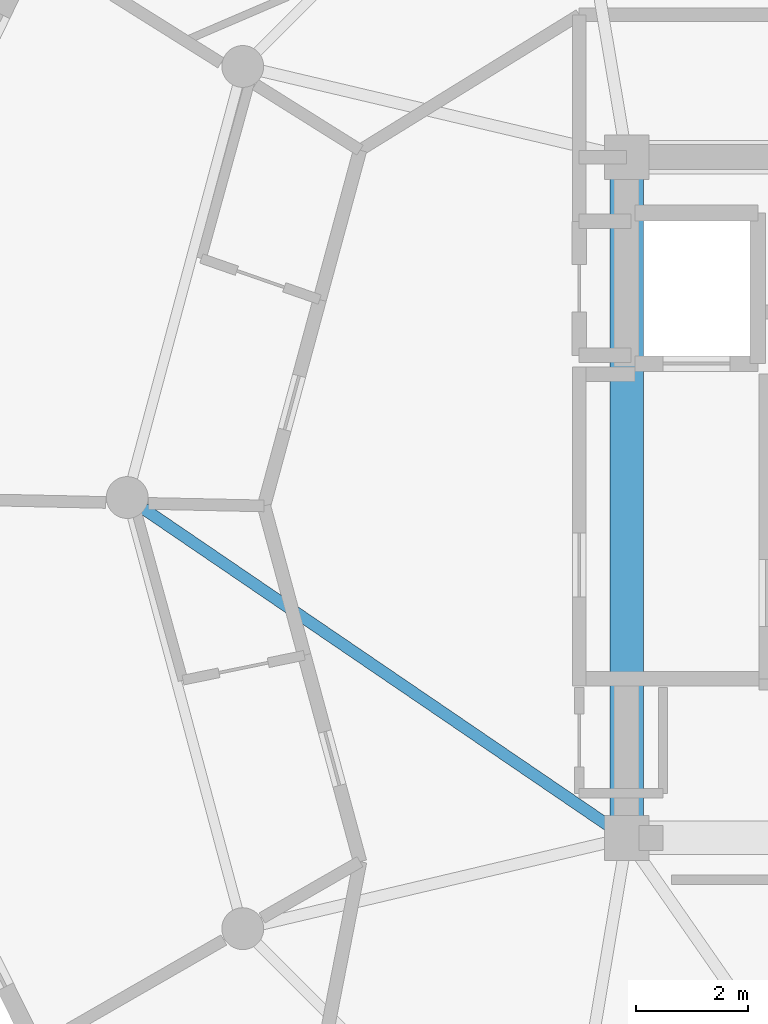
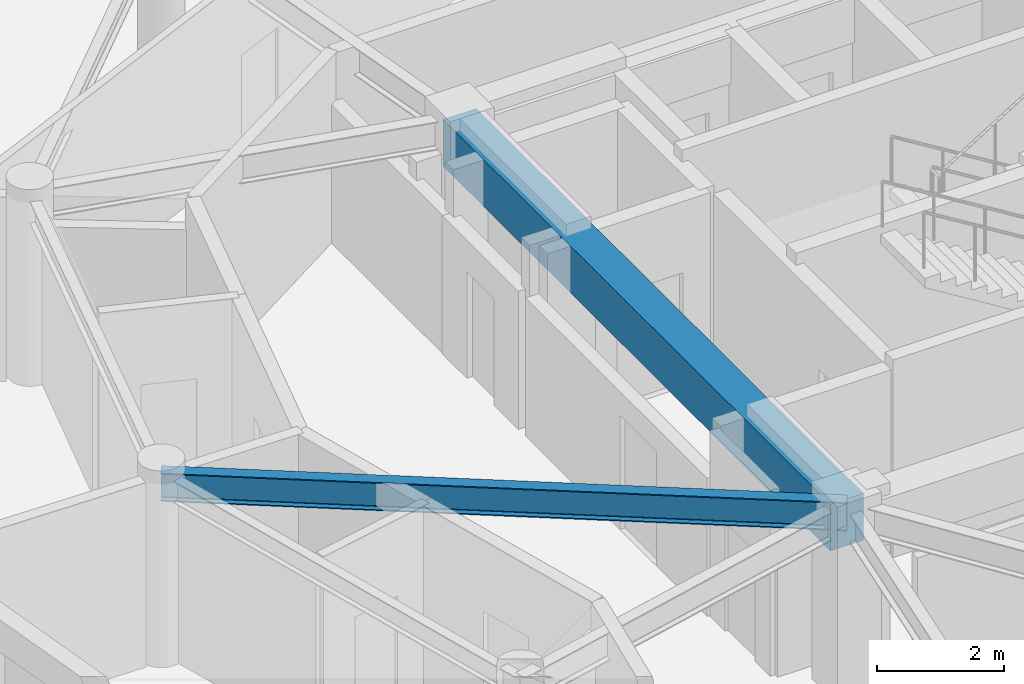
# One storey, part 8 of 22: 2 beams.
"""IFC4 building model written with IfcOpenShell, lengths in metres."""

from ifc_helpers import new_model, si_unit, direction, frame, origin, origin_2d, place, context, subcontext, project, spatial, rectangle, i_section, extrude, material, material_profile, profile_set, type_object, element, save


model = new_model("IFC4")

# Units and contexts
model_context = context("Model", 3, precision=1e-05, world=origin(), true_north=direction((0.0, 1.0)))
body_context = subcontext(model_context, "Body", "Model", "MODEL_VIEW")
ifc_project = project(units=[si_unit("LENGTHUNIT", "METRE"), si_unit("AREAUNIT", "SQUARE_METRE"), si_unit("VOLUMEUNIT", "CUBIC_METRE"), si_unit("PLANEANGLEUNIT", "RADIAN"), si_unit("MASSUNIT", "GRAM", prefix="KILO")], contexts=[model_context])

# Site, building, storey
site_placement = place(None, origin())
site = spatial("IfcSite", under=ifc_project, at=site_placement, CompositionType="ELEMENT")
building_placement = place(site_placement, origin())
building = spatial("IfcBuilding", under=site, at=building_placement, Name="Solvirekh Grand Hotel", CompositionType="ELEMENT")
storey_placement = place(building_placement, frame((0.0, 0.0, 278.199951171875)))
storey = spatial("IfcBuildingStorey", under=building, at=storey_placement, Name="L72", CompositionType="ELEMENT", Elevation=278.199951171875)

# Beams
ifc_material_1 = material(Name="Concrete C50/60", Category="concrete")
ifc_material_profile_1 = material_profile(ifc_material_1, rectangle(XDim=0.60009765625, YDim=0.89990234375, at=origin_2d()), Name="RC BEAM 600X900")
ifc_profile_set_1 = profile_set([ifc_material_profile_1], Name="Concrete C50/60")
beam_type_1 = type_object("IfcBeamType", Name="Beam_Core_RC900", PredefinedType="BEAM", material=ifc_profile_set_1)
beam_1_placement = place(storey_placement, frame((-6.5, 6.10009765625, 3.1201171875), z_axis=(0.0, -1.0, 0.0), x_axis=(1.0, 0.0, 0.0)))
element("IfcBeam", 1, at=beam_1_placement, inside=storey, type_object=beam_type_1, Name="L72 core coupling ring beam 4", PredefinedType="BEAM", context=body_context, shape_type="SweptSolid", body=[
    extrude(rectangle(XDim=0.60009765625, YDim=0.89990234375, at=origin_2d()), origin(), (0.0, 0.0, 1.0), 12.2001953125),
])
ifc_material_2 = material(Name="Steel S355", Category="steel")
ifc_material_profile_2 = material_profile(ifc_material_2, i_section(OverallWidth=0.2119140625, OverallDepth=0.5439453125, WebThickness=0.011962890625, FlangeThickness=0.01904296875, FilletRadius=0.013916015625, at=origin_2d()), Name="W530X123")
ifc_profile_set_2 = profile_set([ifc_material_profile_2], Name="Steel S355")
beam_type_2 = type_object("IfcBeamType", Name="Beam_Radial_W530H", PredefinedType="BEAM", material=ifc_profile_set_2)
beam_2_placement = place(storey_placement, frame((-6.5, -6.10009765625, 3.298095703125), z_axis=(-0.826319370306, 0.563201827285, 0.0), x_axis=(-0.563201827285, -0.826319370306, 0.0)))
element("IfcBeam", 2, at=beam_2_placement, inside=storey, type_object=beam_type_2, Name="L72 radial floor beam R07", PredefinedType="BEAM", context=body_context, shape_type="SweptSolid", body=[
    extrude(i_section(OverallWidth=0.2119140625, OverallDepth=0.5439453125, WebThickness=0.011962890625, FlangeThickness=0.01904296875, FilletRadius=0.013916015625, at=origin_2d()), origin(), (0.0, 0.0, 1.0), 10.8310546875),
])

save(model, "model.ifc")
